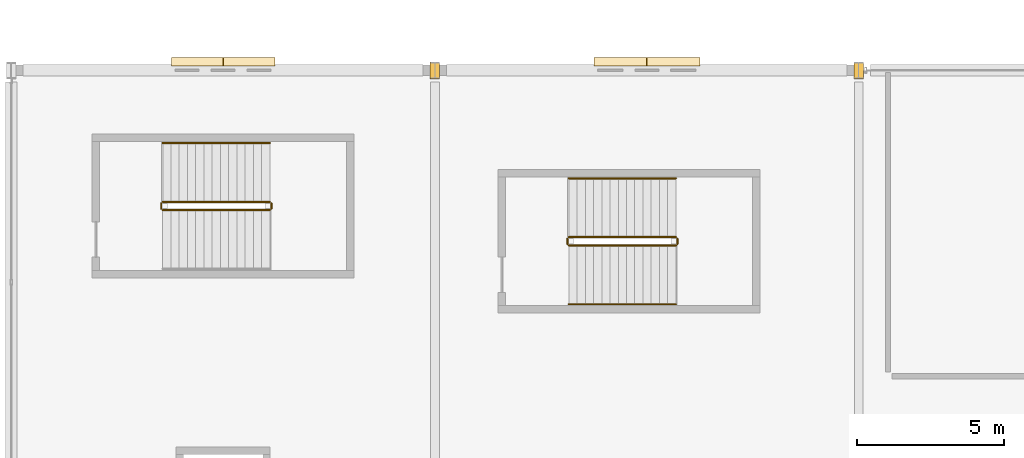
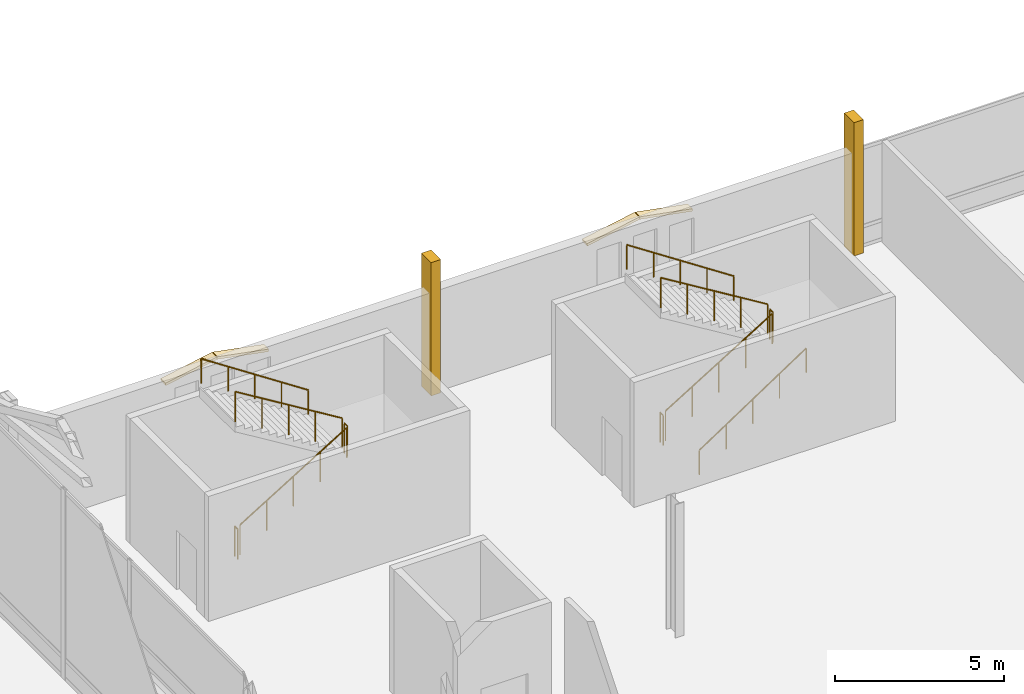
# One storey, part 217 of 220: 11 railings, 6 coverings.
"""IFC4 building model written with IfcOpenShell, lengths in metres."""

from ifc_helpers import new_model, si_unit, direction, frame, origin, origin_2d, place, context, subcontext, project, spatial, polyline, circle, outline, extrude, material, layer, layer_set, type_object, element, save


model = new_model("IFC4")

# Units and contexts
model_context = context("Model", 3, precision=1e-05, world=origin(), true_north=direction((0.0, 1.0)))
body_context = subcontext(model_context, "Body", "Model", "MODEL_VIEW")
ifc_project = project(units=[si_unit("LENGTHUNIT", "METRE"), si_unit("AREAUNIT", "SQUARE_METRE"), si_unit("VOLUMEUNIT", "CUBIC_METRE"), si_unit("PLANEANGLEUNIT", "RADIAN"), si_unit("MASSUNIT", "GRAM", prefix="KILO")], contexts=[model_context])

# Site, building, storey
site_placement = place(None, origin())
site = spatial("IfcSite", under=ifc_project, at=site_placement, CompositionType="ELEMENT")
building_placement = place(site_placement, origin())
building = spatial("IfcBuilding", under=site, at=building_placement, Name="Cendralis Lancet Convention Centre", CompositionType="ELEMENT")
storey_placement = place(building_placement, frame((0.0, 0.0, 5.39990234375)))
storey = spatial("IfcBuildingStorey", under=building, at=storey_placement, Name="L01", CompositionType="ELEMENT", Elevation=5.39990234375)

# Coverings
ifc_material_1 = material(Name="Warm buff sandstone chevron cassette", Category="masonry")
ifc_layer = layer(ifc_material_1, 0.06005859375, Name="Warm buff sandstone chevron cassette")
ifc_layer_set = layer_set([ifc_layer], Name="Warm buff sandstone chevron cassette")
covering_type = type_object("IfcCoveringType", Name="ARC-CV-CLAD1", PredefinedType="CLADDING", material=ifc_layer_set)
for number, where, z_axis, x_axis, name in (
    (1, (130.239990234375, 137.239990234375, 3.27001953125), (-0.187993527685, 0.0, 0.982170267086), (0.0, -1.0, 0.0), "L01 Gothic Pointed Lancet Hood-Mould #0181L"),
    (2, (132.010009765625, 137.239990234375, 3.60498046875), (0.187993527685, 0.0, 0.982170267086), (0.0, -1.0, 0.0), "L01 Gothic Pointed Lancet Hood-Mould #0182R"),
):
    element("IfcCovering", number, at=place(storey_placement, frame(where, z_axis=z_axis, x_axis=x_axis)), inside=storey, type_object=covering_type, Name=name, PredefinedType="CLADDING", context=body_context, shape_type="SweptSolid", body=[
        extrude(outline(polyline([(0.0, 0.0), (0.284912109375, 0.0), (0.284912109375, 1.7817684556784807), (0.0, 1.7817684556784807), (0.0, 0.0)])), origin(), (0.0, 0.0, -1.0), 0.090087890625),
    ])
covering_1_placement = place(storey_placement, frame((144.60009765625, 137.239990234375, 3.27001953125), z_axis=(-0.183956615362, 0.0, 0.982934363864), x_axis=(0.0, -1.0, 0.0)))
element("IfcCovering", 3, at=covering_1_placement, inside=storey, type_object=covering_type, Name="L01 Gothic Pointed Lancet Hood-Mould #0183L", PredefinedType="CLADDING", context=body_context, shape_type="SweptSolid", body=[
    extrude(outline(polyline([(0.0, 0.0), (0.284912109375, 0.0), (0.284912109375, 1.8208692133210493), (0.0, 1.8208692133210493), (0.0, 0.0)])), origin(), (0.0, 0.0, -1.0), 0.090087890625),
])
covering_2_placement = place(storey_placement, frame((146.409912109375, 137.239990234375, 3.60498046875), z_axis=(0.183932374671, 0.0, 0.982938900211), x_axis=(0.0, -1.0, 0.0)))
element("IfcCovering", 4, at=covering_2_placement, inside=storey, type_object=covering_type, Name="L01 Gothic Pointed Lancet Hood-Mould #0184R", PredefinedType="CLADDING", context=body_context, shape_type="SweptSolid", body=[
    extrude(outline(polyline([(0.0, 0.0), (0.284912109375, 0.0), (0.284912109375, 1.8211091880847667), (0.0, 1.8211091880847667), (0.0, 0.0)])), origin(), (0.0, 0.0, -1.0), 0.090087890625),
])
covering_3_placement = place(storey_placement, origin())
element("IfcCovering", 5, at=covering_3_placement, inside=storey, type_object=covering_type, Name="Exterior Column Stone Fire-Casing L01 #050", PredefinedType="CLADDING", context=body_context, shape_type="SweptSolid", body=[
    extrude(outline(polyline([(139.0380859375, 136.512939453125), (139.362060546875, 136.512939453125), (139.362060546875, 137.0869140625), (139.0380859375, 137.0869140625), (139.0380859375, 136.512939453125)])), origin(), (0.0, 0.0, 1.0), 4.800048828125),
])
covering_4_placement = place(storey_placement, origin())
element("IfcCovering", 6, at=covering_4_placement, inside=storey, type_object=covering_type, Name="Exterior Column Stone Fire-Casing L01 #056", PredefinedType="CLADDING", context=body_context, shape_type="SweptSolid", body=[
    extrude(outline(polyline([(153.43798828125, 136.512939453125), (153.761962890625, 136.512939453125), (153.761962890625, 137.0869140625), (153.43798828125, 137.0869140625), (153.43798828125, 136.512939453125)])), origin(), (0.0, 0.0, 1.0), 4.800048828125),
])

# Railings
ifc_material_2 = material(Name="Steel S355", Category="steel")
railing_type_1 = type_object("IfcRailingType", Name="ARC-RL-CGD", PredefinedType="GUARDRAIL", material=ifc_material_2)
railing_1_placement = place(storey_placement, frame((129.949951171875, 132.050048828125, 0.171630859375)))
element("IfcRailing", 7, at=railing_1_placement, inside=storey, type_object=railing_type_1, Name="L01 ST-05 stair guard 1", PredefinedType="GUARDRAIL", context=body_context, shape_type="SweptSolid", body=[
    extrude(circle(Radius=0.02392578125, at=origin_2d()), frame((0.0, 0.0, 1.076171875), z_axis=(0.852865859571, 0.0, 0.52213008492), x_axis=(0.0, 1.0, 0.0)), (0.0, 0.0, 1.0), 4.26806640625),
    extrude(circle(Radius=0.02099609375, at=origin_2d()), origin(), (0.0, 0.0, 1.0), 1.052001953125),
    extrude(circle(Radius=0.02099609375, at=origin_2d()), frame((0.91015625, 0.0, 0.55712890625)), (0.0, 0.0, 1.0), 1.052001953125),
    extrude(circle(Radius=0.02099609375, at=origin_2d()), frame((1.820068359375, 0.0, 1.1142578125)), (0.0, 0.0, 1.0), 1.052001953125),
    extrude(circle(Radius=0.02099609375, at=origin_2d()), frame((2.72998046875, 0.0, 1.67138671875)), (0.0, 0.0, 1.0), 1.052001953125),
    extrude(circle(Radius=0.02099609375, at=origin_2d()), frame((3.64013671875, 0.0, 2.228515625)), (0.0, 0.0, 1.0), 1.052001953125),
])
railing_2_placement = place(storey_placement, frame((133.639892578125, 132.10009765625, 2.400146484375)))
element("IfcRailing", 8, at=railing_2_placement, inside=storey, type_object=railing_type_1, Name="L01 ST-05 stair guard 2", PredefinedType="GUARDRAIL", context=body_context, shape_type="SweptSolid", body=[
    extrude(circle(Radius=0.02392578125, at=origin_2d()), frame((0.0, 0.0, 1.076171875), z_axis=(0.0, 1.0, 0.0), x_axis=(-1.0, 0.0, 0.0)), (0.0, 0.0, 1.0), 0.179931640625),
    extrude(circle(Radius=0.02099609375, at=origin_2d()), origin(), (0.0, 0.0, 1.0), 1.052001953125),
    extrude(circle(Radius=0.02099609375, at=origin_2d()), frame((0.0, 0.179931640625, 0.0)), (0.0, 0.0, 1.0), 1.052001953125),
])
railing_3_placement = place(storey_placement, frame((133.590087890625, 132.330078125, 2.571533203125)))
element("IfcRailing", 9, at=railing_3_placement, inside=storey, type_object=railing_type_1, Name="L01 ST-05 stair guard 3", PredefinedType="GUARDRAIL", context=body_context, shape_type="SweptSolid", body=[
    extrude(circle(Radius=0.02392578125, at=origin_2d()), frame((0.0, 0.0, 1.076171875), z_axis=(-0.852865859571, 0.0, 0.52213008492), x_axis=(0.0, -1.0, 0.0)), (0.0, 0.0, 1.0), 4.26806640625),
    extrude(circle(Radius=0.02099609375, at=origin_2d()), origin(), (0.0, 0.0, 1.0), 1.052001953125),
    extrude(circle(Radius=0.02099609375, at=origin_2d()), frame((-0.91015625, 0.0, 0.55712890625)), (0.0, 0.0, 1.0), 1.052001953125),
    extrude(circle(Radius=0.02099609375, at=origin_2d()), frame((-1.820068359375, 0.0, 1.1142578125)), (0.0, 0.0, 1.0), 1.052001953125),
    extrude(circle(Radius=0.02099609375, at=origin_2d()), frame((-2.72998046875, 0.0, 1.67138671875)), (0.0, 0.0, 1.0), 1.052001953125),
    extrude(circle(Radius=0.02099609375, at=origin_2d()), frame((-3.64013671875, 0.0, 2.228515625)), (0.0, 0.0, 1.0), 1.052001953125),
])
railing_4_placement = place(storey_placement, frame((129.89990234375, 132.10009765625, 0.0)))
element("IfcRailing", 10, at=railing_4_placement, inside=storey, type_object=railing_type_1, Name="L01 ST-05 stair guard 4", PredefinedType="GUARDRAIL", context=body_context, shape_type="SweptSolid", body=[
    extrude(circle(Radius=0.02392578125, at=origin_2d()), frame((0.0, 0.0, 1.076171875), z_axis=(0.0, 1.0, 0.0), x_axis=(-1.0, 0.0, 0.0)), (0.0, 0.0, 1.0), 0.179931640625),
    extrude(circle(Radius=0.02099609375, at=origin_2d()), origin(), (0.0, 0.0, 1.0), 1.052001953125),
    extrude(circle(Radius=0.02099609375, at=origin_2d()), frame((0.0, 0.179931640625, 0.0)), (0.0, 0.0, 1.0), 1.052001953125),
])
railing_5_placement = place(storey_placement, frame((143.75, 130.85009765625, 0.171630859375)))
element("IfcRailing", 11, at=railing_5_placement, inside=storey, type_object=railing_type_1, Name="L01 ST-19 stair guard 1", PredefinedType="GUARDRAIL", context=body_context, shape_type="SweptSolid", body=[
    extrude(circle(Radius=0.02392578125, at=origin_2d()), frame((0.0, 0.0, 1.076171875), z_axis=(0.852850264322, 0.0, 0.5221555579), x_axis=(0.0, 1.0, 0.0)), (0.0, 0.0, 1.0), 4.267822265625),
    extrude(circle(Radius=0.02099609375, at=origin_2d()), origin(), (0.0, 0.0, 1.0), 1.052001953125),
    extrude(circle(Radius=0.02099609375, at=origin_2d()), frame((0.909912109375, 0.0, 0.55712890625)), (0.0, 0.0, 1.0), 1.052001953125),
    extrude(circle(Radius=0.02099609375, at=origin_2d()), frame((1.81982421875, 0.0, 1.1142578125)), (0.0, 0.0, 1.0), 1.052001953125),
    extrude(circle(Radius=0.02099609375, at=origin_2d()), frame((2.72998046875, 0.0, 1.67138671875)), (0.0, 0.0, 1.0), 1.052001953125),
    extrude(circle(Radius=0.02099609375, at=origin_2d()), frame((3.639892578125, 0.0, 2.228515625)), (0.0, 0.0, 1.0), 1.052001953125),
])
railing_6_placement = place(storey_placement, frame((147.43994140625, 130.89990234375, 2.400146484375)))
element("IfcRailing", 12, at=railing_6_placement, inside=storey, type_object=railing_type_1, Name="L01 ST-19 stair guard 2", PredefinedType="GUARDRAIL", context=body_context, shape_type="SweptSolid", body=[
    extrude(circle(Radius=0.02392578125, at=origin_2d()), frame((0.0, 0.0, 1.076171875), z_axis=(0.0, 1.0, 0.0), x_axis=(-1.0, 0.0, 0.0)), (0.0, 0.0, 1.0), 0.18017578125),
    extrude(circle(Radius=0.02099609375, at=origin_2d()), origin(), (0.0, 0.0, 1.0), 1.052001953125),
    extrude(circle(Radius=0.02099609375, at=origin_2d()), frame((0.0, 0.18017578125, 0.0)), (0.0, 0.0, 1.0), 1.052001953125),
])
railing_7_placement = place(storey_placement, frame((147.389892578125, 131.1298828125, 2.571533203125)))
element("IfcRailing", 13, at=railing_7_placement, inside=storey, type_object=railing_type_1, Name="L01 ST-19 stair guard 3", PredefinedType="GUARDRAIL", context=body_context, shape_type="SweptSolid", body=[
    extrude(circle(Radius=0.02392578125, at=origin_2d()), frame((0.0, 0.0, 1.076171875), z_axis=(-0.852850264322, 0.0, 0.5221555579), x_axis=(0.0, -1.0, 0.0)), (0.0, 0.0, 1.0), 4.267822265625),
    extrude(circle(Radius=0.02099609375, at=origin_2d()), origin(), (0.0, 0.0, 1.0), 1.052001953125),
    extrude(circle(Radius=0.02099609375, at=origin_2d()), frame((-0.909912109375, 0.0, 0.55712890625)), (0.0, 0.0, 1.0), 1.052001953125),
    extrude(circle(Radius=0.02099609375, at=origin_2d()), frame((-1.81982421875, 0.0, 1.1142578125)), (0.0, 0.0, 1.0), 1.052001953125),
    extrude(circle(Radius=0.02099609375, at=origin_2d()), frame((-2.72998046875, 0.0, 1.67138671875)), (0.0, 0.0, 1.0), 1.052001953125),
    extrude(circle(Radius=0.02099609375, at=origin_2d()), frame((-3.639892578125, 0.0, 2.228515625)), (0.0, 0.0, 1.0), 1.052001953125),
])
railing_8_placement = place(storey_placement, frame((143.699951171875, 130.89990234375, 0.0)))
element("IfcRailing", 14, at=railing_8_placement, inside=storey, type_object=railing_type_1, Name="L01 ST-19 stair guard 4", PredefinedType="GUARDRAIL", context=body_context, shape_type="SweptSolid", body=[
    extrude(circle(Radius=0.02392578125, at=origin_2d()), frame((0.0, 0.0, 1.076171875), z_axis=(0.0, 1.0, 0.0), x_axis=(-1.0, 0.0, 0.0)), (0.0, 0.0, 1.0), 0.18017578125),
    extrude(circle(Radius=0.02099609375, at=origin_2d()), origin(), (0.0, 0.0, 1.0), 1.052001953125),
    extrude(circle(Radius=0.02099609375, at=origin_2d()), frame((0.0, 0.18017578125, 0.0)), (0.0, 0.0, 1.0), 1.052001953125),
])
railing_type_2 = type_object("IfcRailingType", Name="ARC-RL-CHR", PredefinedType="HANDRAIL", material=ifc_material_2)
railing_9_placement = place(storey_placement, frame((133.590087890625, 134.330078125, 2.571533203125)))
element("IfcRailing", 15, at=railing_9_placement, inside=storey, type_object=railing_type_2, Name="L01 ST-05 stair handrail 2", PredefinedType="HANDRAIL", context=body_context, shape_type="SweptSolid", body=[
    extrude(circle(Radius=0.02392578125, at=origin_2d()), frame((0.0, 0.0, 0.8759765625), z_axis=(-0.83488217925, 0.0, 0.55042869363), x_axis=(0.0, -1.0, 0.0)), (0.0, 0.0, 1.0), 4.360107421875),
    extrude(circle(Radius=0.02099609375, at=origin_2d()), origin(), (0.0, 0.0, 1.0), 0.851806640625),
    extrude(circle(Radius=0.02099609375, at=origin_2d()), frame((-0.91015625, 0.0, 0.60009765625)), (0.0, 0.0, 1.0), 0.851806640625),
    extrude(circle(Radius=0.02099609375, at=origin_2d()), frame((-1.820068359375, 0.0, 1.199951171875)), (0.0, 0.0, 1.0), 0.851806640625),
    extrude(circle(Radius=0.02099609375, at=origin_2d()), frame((-2.72998046875, 0.0, 1.7998046875)), (0.0, 0.0, 1.0), 0.851806640625),
    extrude(circle(Radius=0.02099609375, at=origin_2d()), frame((-3.64013671875, 0.0, 2.39990234375)), (0.0, 0.0, 1.0), 0.851806640625),
])
railing_10_placement = place(storey_placement, frame((143.75, 128.85009765625, 0.171630859375)))
element("IfcRailing", 16, at=railing_10_placement, inside=storey, type_object=railing_type_2, Name="L01 ST-19 stair handrail 1", PredefinedType="HANDRAIL", context=body_context, shape_type="SweptSolid", body=[
    extrude(circle(Radius=0.02392578125, at=origin_2d()), frame((0.0, 0.0, 0.8759765625), z_axis=(0.834865213223, 0.0, 0.550454426587), x_axis=(0.0, 1.0, 0.0)), (0.0, 0.0, 1.0), 4.35986328125),
    extrude(circle(Radius=0.02099609375, at=origin_2d()), origin(), (0.0, 0.0, 1.0), 0.851806640625),
    extrude(circle(Radius=0.02099609375, at=origin_2d()), frame((0.909912109375, 0.0, 0.60009765625)), (0.0, 0.0, 1.0), 0.851806640625),
    extrude(circle(Radius=0.02099609375, at=origin_2d()), frame((1.81982421875, 0.0, 1.199951171875)), (0.0, 0.0, 1.0), 0.851806640625),
    extrude(circle(Radius=0.02099609375, at=origin_2d()), frame((2.72998046875, 0.0, 1.7998046875)), (0.0, 0.0, 1.0), 0.851806640625),
    extrude(circle(Radius=0.02099609375, at=origin_2d()), frame((3.639892578125, 0.0, 2.39990234375)), (0.0, 0.0, 1.0), 0.851806640625),
])
railing_11_placement = place(storey_placement, frame((147.389892578125, 133.1298828125, 2.571533203125)))
element("IfcRailing", 17, at=railing_11_placement, inside=storey, type_object=railing_type_2, Name="L01 ST-19 stair handrail 2", PredefinedType="HANDRAIL", context=body_context, shape_type="SweptSolid", body=[
    extrude(circle(Radius=0.02392578125, at=origin_2d()), frame((0.0, 0.0, 0.8759765625), z_axis=(-0.834865213223, 0.0, 0.550454426587), x_axis=(0.0, -1.0, 0.0)), (0.0, 0.0, 1.0), 4.35986328125),
    extrude(circle(Radius=0.02099609375, at=origin_2d()), origin(), (0.0, 0.0, 1.0), 0.851806640625),
    extrude(circle(Radius=0.02099609375, at=origin_2d()), frame((-0.909912109375, 0.0, 0.60009765625)), (0.0, 0.0, 1.0), 0.851806640625),
    extrude(circle(Radius=0.02099609375, at=origin_2d()), frame((-1.81982421875, 0.0, 1.199951171875)), (0.0, 0.0, 1.0), 0.851806640625),
    extrude(circle(Radius=0.02099609375, at=origin_2d()), frame((-2.72998046875, 0.0, 1.7998046875)), (0.0, 0.0, 1.0), 0.851806640625),
    extrude(circle(Radius=0.02099609375, at=origin_2d()), frame((-3.639892578125, 0.0, 2.39990234375)), (0.0, 0.0, 1.0), 0.851806640625),
])

save(model, "model.ifc")
